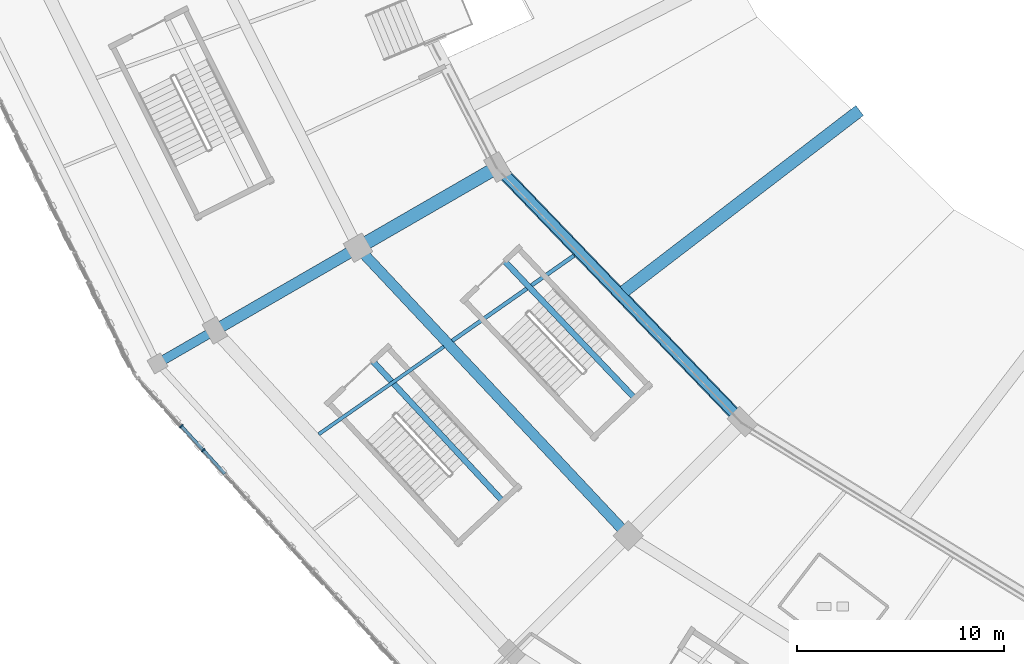
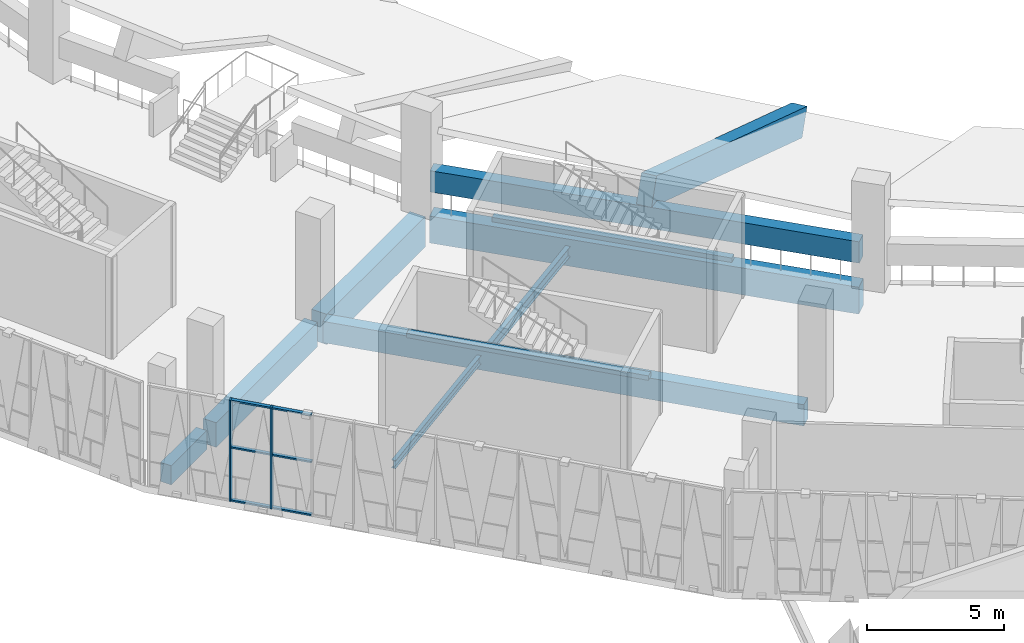
# One storey, part 11 of 183: 11 beams, 8 members, 1 element without a shape of its own.
"""IFC4 building model written with IfcOpenShell, lengths in metres."""

from ifc_helpers import new_model, si_unit, direction, frame, origin, origin_2d, place, context, subcontext, project, spatial, rectangle, i_section, extrude, material, material_profile, profile_set, type_object, element, aggregate, save


model = new_model("IFC4")

# Units and contexts
model_context = context("Model", 3, precision=1e-05, world=origin(), true_north=direction((0.0, 1.0)))
body_context = subcontext(model_context, "Body", "Model", "MODEL_VIEW")
ifc_project = project(units=[si_unit("LENGTHUNIT", "METRE"), si_unit("AREAUNIT", "SQUARE_METRE"), si_unit("VOLUMEUNIT", "CUBIC_METRE"), si_unit("PLANEANGLEUNIT", "RADIAN"), si_unit("MASSUNIT", "GRAM", prefix="KILO")], contexts=[model_context])

# Site, building, storey
site_placement = place(None, origin())
site = spatial("IfcSite", under=ifc_project, at=site_placement, CompositionType="ELEMENT")
building_placement = place(site_placement, origin())
building = spatial("IfcBuilding", under=site, at=building_placement, Name="Zevraka Park Crest Stadium", CompositionType="ELEMENT")
storey_placement = place(building_placement, frame((0.0, 0.0, 5.39990234375)))
storey = spatial("IfcBuildingStorey", under=building, at=storey_placement, Name="L01", CompositionType="ELEMENT", Elevation=5.39990234375)

# Beams
ifc_material_1 = material(Name="Concrete C40/50", Category="concrete")
ifc_material_profile_1 = material_profile(ifc_material_1, rectangle(XDim=0.64990234375, YDim=1.35009765625, at=origin_2d()), Name="RC 1350x650")
ifc_profile_set_1 = profile_set([ifc_material_profile_1], Name="Concrete C40/50")
beam_type_1 = type_object("IfcBeamType", Name="BG01", PredefinedType="BEAM", material=ifc_profile_set_1)
beam_1_placement = place(storey_placement, frame((47.220947265625, 62.10009765625, -0.684814453125), z_axis=(-0.866001485781, -0.500041424909, 0.0), x_axis=(0.500041424909, -0.866001485781, 0.0)))
element("IfcBeam", 1, at=beam_1_placement, inside=storey, type_object=beam_type_1, Name="Radial Girder BG01 L01-BC-14", PredefinedType="BEAM", context=body_context, shape_type="SweptSolid", body=[
    extrude(rectangle(XDim=0.64990234375, YDim=1.35009765625, at=origin_2d()), origin(), (0.0, 0.0, 1.0), 7.19970703125),
])
ifc_material_2 = material(Name="Concrete C40/50", Category="concrete")
ifc_material_profile_2 = material_profile(ifc_material_2, rectangle(XDim=0.550048828125, YDim=1.10009765625, at=origin_2d()), Name="RC 1100x550")
ifc_profile_set_2 = profile_set([ifc_material_profile_2], Name="Concrete C40/50")
beam_type_2 = type_object("IfcBeamType", Name="BG02", PredefinedType="BEAM", material=ifc_profile_set_2)
beam_2_placement = place(storey_placement, frame((40.466064453125, 58.199951171875, -0.559814453125), z_axis=(-0.86600700885, -0.500031859608, 0.0), x_axis=(0.500031859608, -0.86600700885, 0.0)))
element("IfcBeam", 2, at=beam_2_placement, inside=storey, type_object=beam_type_2, Name="Radial Girder BG02 L01-CD-14", PredefinedType="BEAM", context=body_context, shape_type="SweptSolid", body=[
    extrude(rectangle(XDim=0.550048828125, YDim=1.10009765625, at=origin_2d()), origin(), (0.0, 0.0, 1.0), 7.3994140625),
])
ifc_material_3 = material(Name="Concrete C40/50", Category="concrete")
ifc_material_profile_3 = material_profile(ifc_material_3, rectangle(XDim=0.449951171875, YDim=0.85009765625, at=origin_2d()), Name="RC 850x450")
ifc_profile_set_3 = profile_set([ifc_material_profile_3], Name="Concrete C40/50")
beam_type_3 = type_object("IfcBeamType", Name="BG03", PredefinedType="BEAM", material=ifc_profile_set_3)
beam_3_placement = place(storey_placement, frame((33.5380859375, 54.199951171875, -0.434814453125), z_axis=(-0.865950948929, -0.500128937424, 0.0), x_axis=(0.500128937424, -0.865950948929, 0.0)))
element("IfcBeam", 3, at=beam_3_placement, inside=storey, type_object=beam_type_3, Name="Radial Girder BG03 L01-DE-14", PredefinedType="BEAM", context=body_context, shape_type="SweptSolid", body=[
    extrude(rectangle(XDim=0.449951171875, YDim=0.85009765625, at=origin_2d()), origin(), (0.0, 0.0, 1.0), 2.599365234375),
])

# Curtain wall, members
ifc_material_4 = material(Name="Anodised architectural aluminium and laminated safety glass", Category="aluminium")
curtain_wall_type = type_object("IfcCurtainWallType", Name="CW03", PredefinedType="NOTDEFINED", material=ifc_material_4)
curtain_wall_placement = place(storey_placement, origin())
curtain_wall = element("IfcCurtainWall", 4, at=curtain_wall_placement, inside=storey, type_object=curtain_wall_type, Name="Unitised Ring Curtain Wall CW03 L01-14", PredefinedType="NOTDEFINED")
ifc_material_5 = material(Name="Anodised architectural aluminium", Category="aluminium")
ifc_material_profile_4 = material_profile(ifc_material_5, rectangle(XDim=0.199951171875, YDim=0.070068359375, at=origin_2d()), Name="ALU MULLION 200x70")
ifc_profile_set_4 = profile_set([ifc_material_profile_4], Name="Anodised architectural aluminium")
member_type_1 = type_object("IfcMemberType", Name="CM03", PredefinedType="MULLION", material=ifc_profile_set_4)
member_1_placement = place(storey_placement, frame((32.17919921875, 49.718505859375, 0.0), z_axis=(0.0, 0.0, 1.0), x_axis=(0.739023476371, 0.673679672672, 0.0)))
member_1 = element("IfcMember", 5, at=member_1_placement, type_object=member_type_1, Name="CW03 mullion 3", PredefinedType="MULLION", context=body_context, shape_type="SweptSolid", body=[
    extrude(rectangle(XDim=0.199951171875, YDim=0.070068359375, at=origin_2d()), origin(), (0.0, 0.0, 1.0), 4.52001953125),
])
member_2_placement = place(storey_placement, frame((33.241943359375, 48.552978515625, 0.0), z_axis=(0.0, 0.0, 1.0), x_axis=(0.739023476371, 0.673679672672, 0.0)))
member_2 = element("IfcMember", 6, at=member_2_placement, type_object=member_type_1, Name="CW03 mullion 4", PredefinedType="MULLION", context=body_context, shape_type="SweptSolid", body=[
    extrude(rectangle(XDim=0.199951171875, YDim=0.070068359375, at=origin_2d()), origin(), (0.0, 0.0, 1.0), 4.52001953125),
])
ifc_material_6 = material(Name="Anodised architectural aluminium", Category="aluminium")
ifc_material_profile_5 = material_profile(ifc_material_6, rectangle(XDim=0.14990234375, YDim=0.070068359375, at=origin_2d()), Name="ALU TRANSOM 150x70")
ifc_profile_set_5 = profile_set([ifc_material_profile_5], Name="Anodised architectural aluminium")
member_type_2 = type_object("IfcMemberType", Name="CT03", PredefinedType="USERDEFINED", material=ifc_profile_set_5)
member_3_placement = place(storey_placement, frame((32.202880859375, 49.692626953125, 0.03515625), z_axis=(0.673631587043, -0.739067307448, 0.0), x_axis=(0.739067307448, 0.673631587043, 0.0)))
member_3 = element("IfcMember", 7, at=member_3_placement, type_object=member_type_2, Name="CW03 transom 3.1", ObjectType="TRANSOM", PredefinedType="USERDEFINED", context=body_context, shape_type="SweptSolid", body=[
    extrude(rectangle(XDim=0.14990234375, YDim=0.070068359375, at=origin_2d()), origin(), (0.0, 0.0, 1.0), 1.50732421875),
])
member_4_placement = place(storey_placement, frame((32.202880859375, 49.692626953125, 2.400146484375), z_axis=(0.673631587043, -0.739067307448, 0.0), x_axis=(0.739067307448, 0.673631587043, 0.0)))
member_4 = element("IfcMember", 8, at=member_4_placement, type_object=member_type_2, Name="CW03 transom 3.2", ObjectType="TRANSOM", PredefinedType="USERDEFINED", context=body_context, shape_type="SweptSolid", body=[
    extrude(rectangle(XDim=0.14990234375, YDim=0.070068359375, at=origin_2d()), origin(), (0.0, 0.0, 1.0), 1.50732421875),
])
member_5_placement = place(storey_placement, frame((32.202880859375, 49.692626953125, 4.485107421875), z_axis=(0.673631587043, -0.739067307448, 0.0), x_axis=(0.739067307448, 0.673631587043, 0.0)))
member_5 = element("IfcMember", 9, at=member_5_placement, type_object=member_type_2, Name="CW03 transom 3.3", ObjectType="TRANSOM", PredefinedType="USERDEFINED", context=body_context, shape_type="SweptSolid", body=[
    extrude(rectangle(XDim=0.14990234375, YDim=0.070068359375, at=origin_2d()), origin(), (0.0, 0.0, 1.0), 1.50732421875),
])
member_6_placement = place(storey_placement, frame((33.265625, 48.527099609375, 0.03515625), z_axis=(0.673631587043, -0.739067307448, 0.0), x_axis=(0.739067307448, 0.673631587043, 0.0)))
member_6 = element("IfcMember", 10, at=member_6_placement, type_object=member_type_2, Name="CW03 transom 4.1", ObjectType="TRANSOM", PredefinedType="USERDEFINED", context=body_context, shape_type="SweptSolid", body=[
    extrude(rectangle(XDim=0.14990234375, YDim=0.070068359375, at=origin_2d()), origin(), (0.0, 0.0, 1.0), 1.50732421875),
])
member_7_placement = place(storey_placement, frame((33.265625, 48.527099609375, 2.400146484375), z_axis=(0.673631587043, -0.739067307448, 0.0), x_axis=(0.739067307448, 0.673631587043, 0.0)))
member_7 = element("IfcMember", 11, at=member_7_placement, type_object=member_type_2, Name="CW03 transom 4.2", ObjectType="TRANSOM", PredefinedType="USERDEFINED", context=body_context, shape_type="SweptSolid", body=[
    extrude(rectangle(XDim=0.14990234375, YDim=0.070068359375, at=origin_2d()), origin(), (0.0, 0.0, 1.0), 1.50732421875),
])
member_8_placement = place(storey_placement, frame((33.265625, 48.527099609375, 4.485107421875), z_axis=(0.673631587043, -0.739067307448, 0.0), x_axis=(0.739067307448, 0.673631587043, 0.0)))
member_8 = element("IfcMember", 12, at=member_8_placement, type_object=member_type_2, Name="CW03 transom 4.3", ObjectType="TRANSOM", PredefinedType="USERDEFINED", context=body_context, shape_type="SweptSolid", body=[
    extrude(rectangle(XDim=0.14990234375, YDim=0.070068359375, at=origin_2d()), origin(), (0.0, 0.0, 1.0), 1.50732421875),
])
aggregate(curtain_wall, [member_1, member_2, member_3, member_4, member_5, member_6, member_7, member_8])

# Beams
ifc_material_7 = material(Name="Concrete C40/50", Category="concrete")
ifc_material_profile_6 = material_profile(ifc_material_7, rectangle(XDim=0.60009765625, YDim=1.199951171875, at=origin_2d()), Name="RC 1200x600")
ifc_profile_set_6 = profile_set([ifc_material_profile_6], Name="Concrete C40/50")
beam_type_4 = type_object("IfcBeamType", Name="RB01", PredefinedType="BEAM", material=ifc_profile_set_6)
beam_4_placement = place(storey_placement, frame((47.743896484375, 61.97607421875, -0.60986328125), z_axis=(0.692852617328, -0.721079226342, 0.0), x_axis=(0.721079226342, 0.692852617328, 0.0)))
element("IfcBeam", 13, at=beam_4_placement, inside=storey, type_object=beam_type_4, Name="Ring Beam RB01 L01-B-14", PredefinedType="BEAM", context=body_context, shape_type="SweptSolid", body=[
    extrude(rectangle(XDim=0.60009765625, YDim=1.199951171875, at=origin_2d()), origin(), (0.0, 0.0, 1.0), 16.329833984375),
])
ifc_material_8 = material(Name="Concrete C40/50", Category="concrete")
ifc_material_profile_7 = material_profile(ifc_material_8, rectangle(XDim=0.5, YDim=0.949951171875, at=origin_2d()), Name="RC 950x500")
ifc_profile_set_7 = profile_set([ifc_material_profile_7], Name="Concrete C40/50")
beam_type_5 = type_object("IfcBeamType", Name="RB02", PredefinedType="BEAM", material=ifc_profile_set_7)
beam_5_placement = place(storey_placement, frame((40.986083984375, 58.072998046875, -0.48486328125), z_axis=(0.684268936493, -0.729229746068, 0.0), x_axis=(0.729229746068, 0.684268936493, 0.0)))
element("IfcBeam", 14, at=beam_5_placement, inside=storey, type_object=beam_type_5, Name="Ring Beam RB02 L01-C-14", PredefinedType="BEAM", context=body_context, shape_type="SweptSolid", body=[
    extrude(rectangle(XDim=0.5, YDim=0.949951171875, at=origin_2d()), origin(), (0.0, 0.0, 1.0), 18.353759765625),
])
beam_6_placement = place(storey_placement, frame((47.743896484375, 61.97607421875, 1.505126953125), z_axis=(0.692852617328, -0.721079226342, 0.0), x_axis=(0.721079226342, 0.692852617328, 0.0)))
element("IfcBeam", 15, at=beam_6_placement, inside=storey, type_object=beam_type_5, Name="Lower Tier Head Raker Ring Beam RB02 14", PredefinedType="BEAM", context=body_context, shape_type="SweptSolid", body=[
    extrude(rectangle(XDim=0.5, YDim=0.949951171875, at=origin_2d()), origin(), (0.0, 0.0, 1.0), 16.329833984375),
])
ifc_material_9 = material(Name="Concrete C40/50", Category="concrete")
ifc_material_profile_8 = material_profile(ifc_material_9, rectangle(XDim=0.60009765625, YDim=1.199951171875, at=origin_2d()), Name="RC 1200x600")
ifc_profile_set_8 = profile_set([ifc_material_profile_8], Name="Concrete C40/50")
beam_type_6 = type_object("IfcBeamType", Name="RK01", PredefinedType="BEAM", material=ifc_profile_set_8)
beam_7_placement = place(storey_placement, frame((64.805908203125, 64.840087890625, -3.64990234375), z_axis=(-0.728653940697, -0.559167614686, 0.395468094026), x_axis=(0.608796912594, -0.793326111518, 0.0)))
element("IfcBeam", 16, at=beam_7_placement, inside=storey, type_object=beam_type_6, Name="Lower Bowl Raker Girder RK01 14", PredefinedType="BEAM", context=body_context, shape_type="SweptSolid", body=[
    extrude(rectangle(XDim=0.60009765625, YDim=1.199951171875, at=origin_2d()), origin(), (0.0, 0.0, 1.0), 15.652099609375),
])
ifc_material_10 = material(Name="Steel S355", Category="steel")
ifc_material_profile_9 = material_profile(ifc_material_10, i_section(OverallWidth=0.169921875, OverallDepth=0.360107421875, WebThickness=0.008056640625, FlangeThickness=0.0126953125, at=origin_2d()), Name="IPE 360")
ifc_profile_set_9 = profile_set([ifc_material_profile_9], Name="Steel S355")
beam_type_7 = type_object("IfcBeamType", Name="SJ02", PredefinedType="JOIST", material=ifc_profile_set_9)
beam_8_placement = place(storey_placement, frame((44.885009765625, 53.56396484375, -0.48779296875), z_axis=(-0.819262921224, -0.573418055093, 0.0), x_axis=(0.573418055093, -0.819262921224, 0.0)))
element("IfcBeam", 17, at=beam_8_placement, inside=storey, type_object=beam_type_7, Name="Floor Joist SJ02 L01-CD-14-1", PredefinedType="JOIST", context=body_context, shape_type="SweptSolid", body=[
    extrude(i_section(OverallWidth=0.169921875, OverallDepth=0.360107421875, WebThickness=0.008056640625, FlangeThickness=0.0126953125, at=origin_2d()), origin(), (0.0, 0.0, 1.0), 7.3994140625),
])
ifc_material_11 = material(Name="Steel S355", Category="steel")
ifc_material_profile_10 = material_profile(ifc_material_11, i_section(OverallWidth=0.18994140625, OverallDepth=0.449951171875, WebThickness=0.009521484375, FlangeThickness=0.0146484375, at=origin_2d()), Name="IPE 450")
ifc_profile_set_10 = profile_set([ifc_material_profile_10], Name="Steel S355")
beam_type_8 = type_object("IfcBeamType", Name="SJ03", PredefinedType="JOIST", material=ifc_profile_set_10)
beam_9_placement = place(storey_placement, frame((51.169921875, 57.9619140625, -0.532958984375), z_axis=(-0.819291006528, -0.573377926522, 0.0), x_axis=(0.573377926522, -0.819291006528, 0.0)))
element("IfcBeam", 18, at=beam_9_placement, inside=storey, type_object=beam_type_8, Name="Floor Joist SJ03 L01-BC-14-1", PredefinedType="JOIST", context=body_context, shape_type="SweptSolid", body=[
    extrude(i_section(OverallWidth=0.18994140625, OverallDepth=0.449951171875, WebThickness=0.009521484375, FlangeThickness=0.0146484375, at=origin_2d()), origin(), (0.0, 0.0, 1.0), 7.181884765625),
])
ifc_material_12 = material(Name="Concrete C40/50", Category="concrete")
ifc_material_profile_11 = material_profile(ifc_material_12, rectangle(XDim=0.280029296875, YDim=0.199951171875, at=origin_2d()), Name="RC 200x280")
ifc_profile_set_11 = profile_set([ifc_material_profile_11], Name="Concrete C40/50")
beam_type_9 = type_object("IfcBeamType", Name="SJ13", PredefinedType="JOIST", material=ifc_profile_set_11)
beam_10_placement = place(storey_placement, frame((41.455322265625, 52.8427734375, 2.300048828125), z_axis=(0.680247587728, -0.732982414107, 0.0), x_axis=(0.732982414107, 0.680247587728, 0.0)))
element("IfcBeam", 19, at=beam_10_placement, inside=storey, type_object=beam_type_9, Name="Stair Upper-Flight Longitudinal Stringer SJ13 ST15-L01", PredefinedType="JOIST", context=body_context, shape_type="SweptSolid", body=[
    extrude(rectangle(XDim=0.280029296875, YDim=0.199951171875, at=origin_2d()), origin(), (0.0, 0.0, 1.0), 9.25),
])
beam_11_placement = place(storey_placement, frame((47.840576171875, 57.67626953125, 2.300048828125), z_axis=(0.688319481212, -0.725407672819, 0.0), x_axis=(0.725407672819, 0.688319481212, 0.0)))
element("IfcBeam", 20, at=beam_11_placement, inside=storey, type_object=beam_type_9, Name="Stair Upper-Flight Longitudinal Stringer SJ13 ST40-L01", PredefinedType="JOIST", context=body_context, shape_type="SweptSolid", body=[
    extrude(rectangle(XDim=0.280029296875, YDim=0.199951171875, at=origin_2d()), origin(), (0.0, 0.0, 1.0), 9.14990234375),
])

save(model, "model.ifc")
